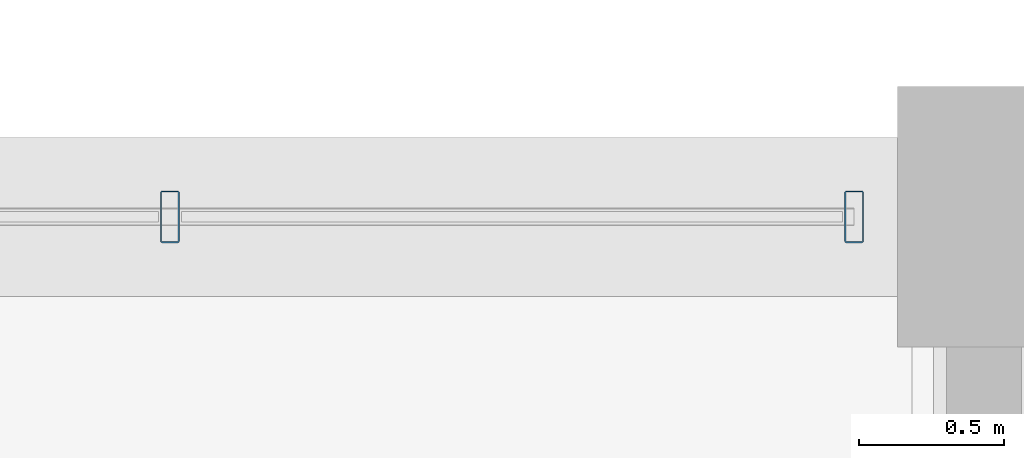
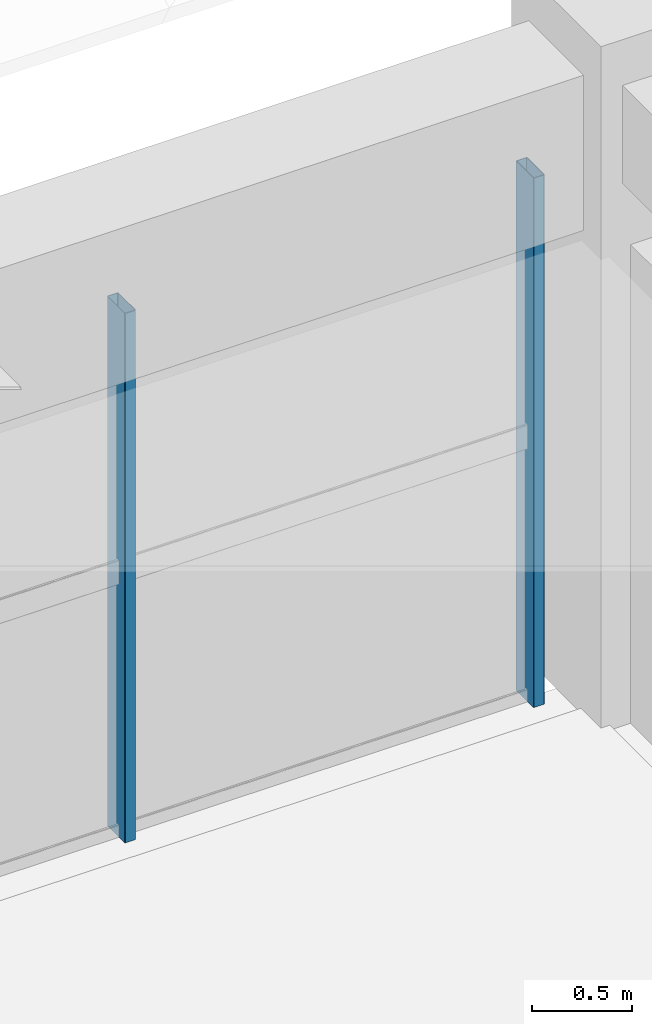
# One storey, part 36 of 63: 2 members, 1 element without a shape of its own.
"""IFC4 building model written with IfcOpenShell, lengths in metres."""

from ifc_helpers import new_model, si_unit, direction, frame, origin, origin_2d, place, context, subcontext, project, spatial, hollow_rectangle, extrude, material, material_profile, profile_set, type_object, element, aggregate, save


model = new_model("IFC4")

# Units and contexts
model_context = context("Model", 3, precision=1e-05, world=origin(), true_north=direction((0.0, 1.0)))
body_context = subcontext(model_context, "Body", "Model", "MODEL_VIEW")
ifc_project = project(units=[si_unit("LENGTHUNIT", "METRE"), si_unit("AREAUNIT", "SQUARE_METRE"), si_unit("VOLUMEUNIT", "CUBIC_METRE"), si_unit("PLANEANGLEUNIT", "RADIAN"), si_unit("MASSUNIT", "GRAM", prefix="KILO")], contexts=[model_context])

# Site, building, storey
site_placement = place(None, origin())
site = spatial("IfcSite", under=ifc_project, at=site_placement, CompositionType="ELEMENT")
building_placement = place(site_placement, origin())
building = spatial("IfcBuilding", under=site, at=building_placement, Name="Varnabhumi Central Station", CompositionType="ELEMENT")
storey_placement = place(building_placement, frame((0.0, 0.0, 20.39990234375)))
storey = spatial("IfcBuildingStorey", under=building, at=storey_placement, Name="L04", CompositionType="ELEMENT", Elevation=20.39990234375)

# Curtain wall, members
ifc_material = material(Name="Anodised aluminium 6063-T6", Category="aluminium")
curtain_wall_type = type_object("IfcCurtainWallType", Name="CW-SPINE-SCREEN-L0", PredefinedType="NOTDEFINED", material=ifc_material)
curtain_wall_placement = place(storey_placement, origin())
curtain_wall = element("IfcCurtainWall", 1, at=curtain_wall_placement, inside=storey, type_object=curtain_wall_type, Name="Curtain Wall CW-SS415", PredefinedType="NOTDEFINED")
ifc_material_profile = material_profile(ifc_material, hollow_rectangle(XDim=0.06494140625, YDim=0.179931640625, WallThickness=0.00390625, InnerFilletRadius=0.001953125, OuterFilletRadius=0.006103515625, at=origin_2d()), Name="Anodised aluminium 6063-T6", Category="aluminium")
ifc_profile_set = profile_set([ifc_material_profile], Name="Anodised aluminium 6063-T6")
member_type = type_object("IfcMemberType", Name="CW-MUL-180", PredefinedType="MULLION", material=ifc_profile_set)
member_1_placement = place(storey_placement, frame((157.183349609375, 36.0, 0.0), z_axis=(0.0, 0.0, 1.0), x_axis=(1.0, 0.0, 0.0)))
member_1 = element("IfcMember", 2, at=member_1_placement, type_object=member_type, Name="Curtain Wall Mullion CW-SS415-M3", PredefinedType="MULLION", context=body_context, shape_type="SweptSolid", body=[
    extrude(hollow_rectangle(XDim=0.06494140625, YDim=0.179931640625, WallThickness=0.00390625, InnerFilletRadius=0.001953125, OuterFilletRadius=0.006103515625, at=origin_2d()), origin(), (0.0, 0.0, 1.0), 3.239990234375),
])
member_2_placement = place(storey_placement, frame((159.550048828125, 36.0, 0.0), z_axis=(0.0, 0.0, 1.0), x_axis=(1.0, 0.0, 0.0)))
member_2 = element("IfcMember", 3, at=member_2_placement, type_object=member_type, Name="Curtain Wall Mullion CW-SS415-M4", PredefinedType="MULLION", context=body_context, shape_type="SweptSolid", body=[
    extrude(hollow_rectangle(XDim=0.06494140625, YDim=0.179931640625, WallThickness=0.00390625, InnerFilletRadius=0.001953125, OuterFilletRadius=0.006103515625, at=origin_2d()), origin(), (0.0, 0.0, 1.0), 3.239990234375),
])
aggregate(curtain_wall, [member_1, member_2])

save(model, "model.ifc")
